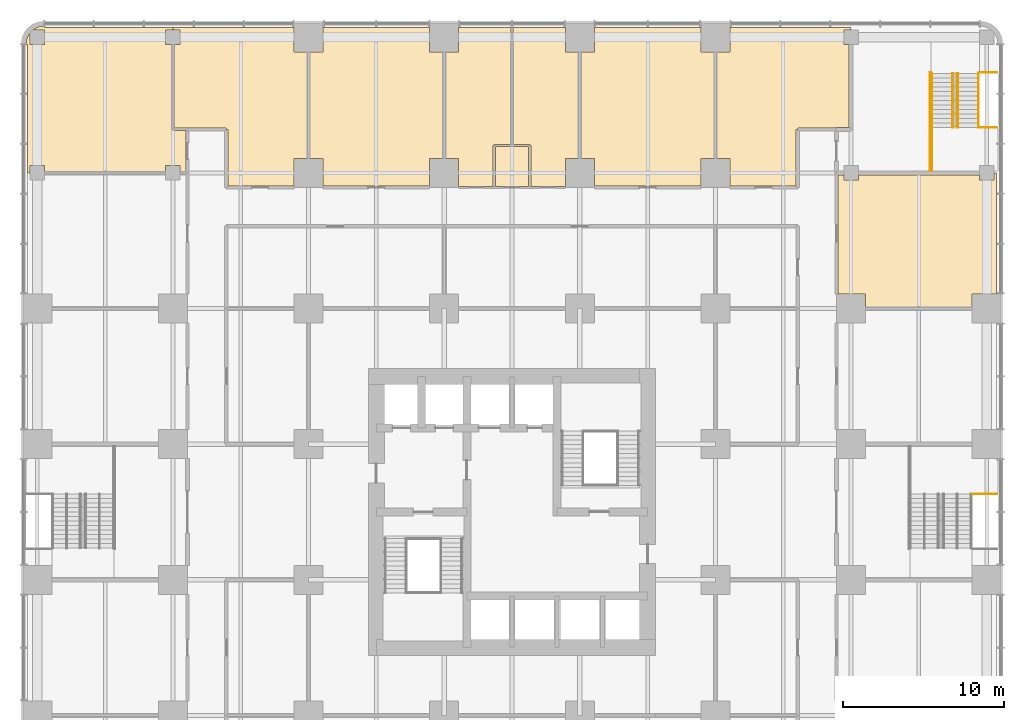
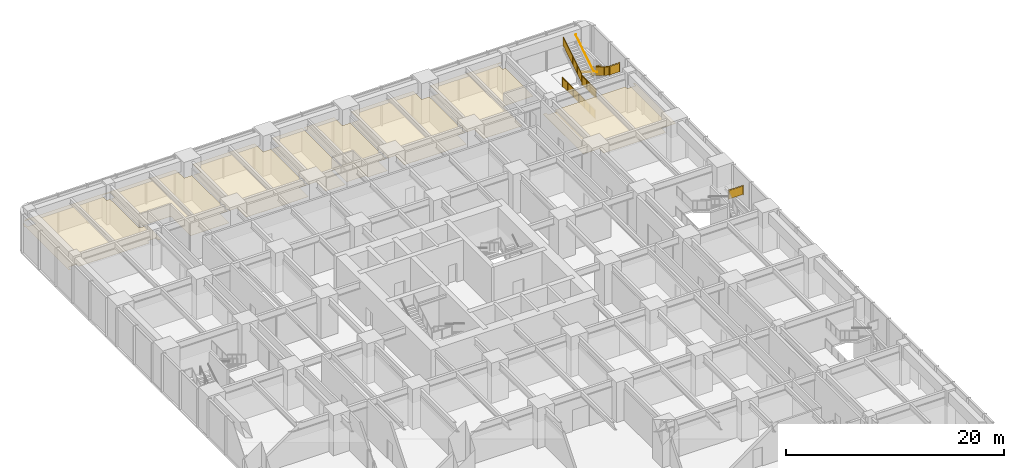
# One storey, part 19 of 19: 9 coverings, 9 railings.
"""IFC4 building model written with IfcOpenShell, lengths in metres."""

from ifc_helpers import new_model, si_unit, direction, frame, origin, origin_2d, place, context, subcontext, project, spatial, polyline, circle, outline, extrude, material, layer, layer_set, type_object, element, save


model = new_model("IFC4")

# Units and contexts
model_context = context("Model", 3, precision=1e-05, world=origin(), true_north=direction((0.0, 1.0)))
body_context = subcontext(model_context, "Body", "Model", "MODEL_VIEW")
ifc_project = project(units=[si_unit("LENGTHUNIT", "METRE"), si_unit("AREAUNIT", "SQUARE_METRE"), si_unit("VOLUMEUNIT", "CUBIC_METRE"), si_unit("PLANEANGLEUNIT", "RADIAN"), si_unit("MASSUNIT", "GRAM", prefix="KILO")], contexts=[model_context])

# Site, building, storey
site_placement = place(None, origin())
site = spatial("IfcSite", under=ifc_project, at=site_placement, CompositionType="ELEMENT")
building_placement = place(site_placement, origin())
building = spatial("IfcBuilding", under=site, at=building_placement, Name="Torre Alcanfor", CompositionType="ELEMENT")
storey_placement = place(building_placement, frame((0.0, 0.0, 6.0)))
storey = spatial("IfcBuildingStorey", under=building, at=storey_placement, Name="L01", CompositionType="ELEMENT", Elevation=6.0)

# Coverings
ifc_material_1 = material(Name="Mineral fibre acoustic tile 20 mm, NRC 0.70, on exposed suspension grid", Category="mineral fibre")
ifc_layer_1 = layer(ifc_material_1, 0.02001953125)
ifc_layer_set_1 = layer_set([ifc_layer_1], Name="Acoustic suspended ceiling 600x600 mineral fibre tile")
covering_type_1 = type_object("IfcCoveringType", Name="Acoustic suspended ceiling 600x600 mineral fibre tile", PredefinedType="CEILING", material=ifc_layer_set_1)
covering_1_placement = place(storey_placement, frame((0.0, 0.0, 2.75)))
element("IfcCovering", 1, at=covering_1_placement, inside=storey, type_object=covering_type_1, Name="Ceiling L01-19", PredefinedType="CEILING", context=body_context, shape_type="SweptSolid", body=[
    extrude(outline(polyline([(57.89990234375, 42.074951171875), (57.89990234375, 42.89990234375), (59.425048828125, 42.89990234375), (59.425048828125, 50.39990234375), (59.25, 50.39990234375), (59.25, 49.949951171875), (58.35009765625, 49.949951171875), (58.35009765625, 50.27490234375), (50.85009765625, 50.27490234375), (50.85009765625, 49.949951171875), (49.949951171875, 49.949951171875), (49.949951171875, 50.27490234375), (49.60009765625, 50.27490234375), (49.60009765625, 42.89990234375), (51.300048828125, 42.89990234375), (51.300048828125, 42.074951171875), (57.89990234375, 42.074951171875)])), origin(), (0.0, 0.0, 1.0), 0.02001953125),
])
covering_2_placement = place(storey_placement, frame((0.0, 0.0, 2.75)))
element("IfcCovering", 2, at=covering_2_placement, inside=storey, type_object=covering_type_1, Name="Ceiling L01-20", PredefinedType="CEILING", context=body_context, shape_type="SweptSolid", body=[
    extrude(outline(polyline([(16.875, 51.300048828125), (17.699951171875, 51.300048828125), (17.699951171875, 49.60009765625), (24.300048828125, 49.60009765625), (24.300048828125, 51.300048828125), (25.125, 51.300048828125), (25.125, 57.89990234375), (24.300048828125, 57.89990234375), (24.300048828125, 59.425048828125), (17.699951171875, 59.425048828125), (17.699951171875, 57.89990234375), (16.875, 57.89990234375), (16.875, 51.300048828125)])), origin(), (0.0, 0.0, 1.0), 0.02001953125),
])
covering_3_placement = place(storey_placement, frame((0.0, 0.0, 2.75)))
element("IfcCovering", 3, at=covering_3_placement, inside=storey, type_object=covering_type_1, Name="Ceiling L01-21", PredefinedType="CEILING", context=body_context, shape_type="SweptSolid", body=[
    extrude(outline(polyline([(33.675048828125, 51.300048828125), (34.5, 51.300048828125), (34.5, 49.60009765625), (41.10009765625, 49.60009765625), (41.10009765625, 51.300048828125), (41.925048828125, 51.300048828125), (41.925048828125, 57.89990234375), (41.10009765625, 57.89990234375), (41.10009765625, 59.425048828125), (34.5, 59.425048828125), (34.5, 57.89990234375), (33.675048828125, 57.89990234375), (33.675048828125, 51.300048828125)])), origin(), (0.0, 0.0, 1.0), 0.02001953125),
])
covering_4_placement = place(storey_placement, frame((0.0, 0.0, 2.75)))
element("IfcCovering", 4, at=covering_4_placement, inside=storey, type_object=covering_type_1, Name="Ceiling L01-22", PredefinedType="CEILING", context=body_context, shape_type="SweptSolid", body=[
    extrude(outline(polyline([(-0.449951171875, 59.079345703125), (-0.55029296875, 58.94873046875), (-0.659912109375, 58.68408203125), (-0.697509765625, 58.39990234375), (-0.625, 58.39990234375), (-0.625, 50.39990234375), (-0.449951171875, 50.39990234375), (-0.449951171875, 50.85009765625), (0.449951171875, 50.85009765625), (0.449951171875, 50.47509765625), (7.949951171875, 50.47509765625), (7.949951171875, 50.85009765625), (8.85009765625, 50.85009765625), (8.85009765625, 50.47509765625), (9.199951171875, 50.47509765625), (9.199951171875, 53.02490234375), (8.39990234375, 53.02490234375), (8.39990234375, 53.10009765625), (8.324951171875, 53.10009765625), (8.324951171875, 58.35009765625), (7.949951171875, 58.35009765625), (7.949951171875, 59.25), (8.39990234375, 59.25), (8.39990234375, 59.425048828125), (0.39990234375, 59.425048828125), (0.39990234375, 59.497314453125), (0.115966796875, 59.4599609375), (-0.148681640625, 59.350341796875), (-0.279296875, 59.25), (0.449951171875, 59.25), (0.449951171875, 58.35009765625), (-0.449951171875, 58.35009765625), (-0.449951171875, 59.079345703125)])), origin(), (0.0, 0.0, 1.0), 0.02001953125),
])
covering_5_placement = place(storey_placement, frame((0.0, 0.0, 2.75)))
element("IfcCovering", 5, at=covering_5_placement, inside=storey, type_object=covering_type_1, Name="Ceiling L01-24", PredefinedType="CEILING", context=body_context, shape_type="SweptSolid", body=[
    extrude(outline(polyline([(8.39990234375, 59.25), (8.85009765625, 59.25), (8.85009765625, 58.35009765625), (8.47509765625, 58.35009765625), (8.47509765625, 53.175048828125), (9.300048828125, 53.175048828125), (9.300048828125, 53.199951171875), (11.699951171875, 53.199951171875), (11.699951171875, 53.10009765625), (11.800048828125, 53.10009765625), (11.800048828125, 49.60009765625), (15.89990234375, 49.60009765625), (15.89990234375, 51.300048828125), (16.72509765625, 51.300048828125), (16.72509765625, 57.89990234375), (15.89990234375, 57.89990234375), (15.89990234375, 59.425048828125), (8.39990234375, 59.425048828125), (8.39990234375, 59.25)])), origin(), (0.0, 0.0, 1.0), 0.02001953125),
])
covering_6_placement = place(storey_placement, frame((0.0, 0.0, 2.75)))
element("IfcCovering", 6, at=covering_6_placement, inside=storey, type_object=covering_type_1, Name="Ceiling L01-25", PredefinedType="CEILING", context=body_context, shape_type="SweptSolid", body=[
    extrude(outline(polyline([(49.949951171875, 59.25), (50.39990234375, 59.25), (50.39990234375, 59.425048828125), (42.89990234375, 59.425048828125), (42.89990234375, 57.89990234375), (42.074951171875, 57.89990234375), (42.074951171875, 51.300048828125), (42.89990234375, 51.300048828125), (42.89990234375, 49.60009765625), (47.0, 49.60009765625), (47.0, 53.10009765625), (47.10009765625, 53.10009765625), (47.10009765625, 53.199951171875), (49.5, 53.199951171875), (49.5, 53.22509765625), (50.27490234375, 53.22509765625), (50.27490234375, 58.35009765625), (49.949951171875, 58.35009765625), (49.949951171875, 59.25)])), origin(), (0.0, 0.0, 1.0), 0.02001953125),
])
ifc_material_2 = material(Name="Moisture-resistant gypsum plasterboard 12.5 mm on concealed suspension frame", Category="gypsum")
ifc_layer_2 = layer(ifc_material_2, 0.012451171875)
ifc_layer_set_2 = layer_set([ifc_layer_2], Name="Moisture-resistant plasterboard ceiling 12.5")
covering_type_2 = type_object("IfcCoveringType", Name="Moisture-resistant plasterboard ceiling 12.5", PredefinedType="CEILING", material=ifc_layer_set_2)
covering_7_placement = place(storey_placement, frame((0.0, 0.0, 2.75)))
element("IfcCovering", 7, at=covering_7_placement, inside=storey, type_object=covering_type_2, Name="Ceiling L01-WCN1", PredefinedType="CEILING", context=body_context, shape_type="SweptSolid", body=[
    extrude(outline(polyline([(25.27490234375, 51.300048828125), (26.10009765625, 51.300048828125), (26.10009765625, 49.574951171875), (28.22509765625, 49.574951171875), (28.22509765625, 52.10009765625), (28.300048828125, 52.10009765625), (28.300048828125, 52.175048828125), (29.324951171875, 52.175048828125), (29.324951171875, 59.425048828125), (26.10009765625, 59.425048828125), (26.10009765625, 57.89990234375), (25.27490234375, 57.89990234375), (25.27490234375, 51.300048828125)])), origin(), (0.0, 0.0, 1.0), 0.012451171875),
])
covering_8_placement = place(storey_placement, frame((0.0, 0.0, 3.0)))
element("IfcCovering", 8, at=covering_8_placement, inside=storey, type_object=covering_type_2, Name="Ceiling L01-WCN2", PredefinedType="CEILING", context=body_context, shape_type="SweptSolid", body=[
    extrude(outline(polyline([(30.425048828125, 52.02490234375), (28.375, 52.02490234375), (28.375, 49.574951171875), (30.425048828125, 49.574951171875), (30.425048828125, 52.02490234375)])), origin(), (0.0, 0.0, 1.0), 0.012451171875),
])
covering_9_placement = place(storey_placement, frame((0.0, 0.0, 2.75)))
element("IfcCovering", 9, at=covering_9_placement, inside=storey, type_object=covering_type_2, Name="Ceiling L01-WCN3", PredefinedType="CEILING", context=body_context, shape_type="SweptSolid", body=[
    extrude(outline(polyline([(33.52490234375, 57.89990234375), (32.699951171875, 57.89990234375), (32.699951171875, 59.425048828125), (29.47509765625, 59.425048828125), (29.47509765625, 52.175048828125), (30.5, 52.175048828125), (30.5, 52.10009765625), (30.574951171875, 52.10009765625), (30.574951171875, 49.574951171875), (32.699951171875, 49.574951171875), (32.699951171875, 51.300048828125), (33.52490234375, 51.300048828125), (33.52490234375, 57.89990234375)])), origin(), (0.0, 0.0, 1.0), 0.012451171875),
])

# Railings
ifc_material_3 = material(Name="Steel ASTM A500 Grade C hollow sections", Category="steel")
railing_type_1 = type_object("IfcRailingType", Name="Stair guard and handrail 1100", PredefinedType="GUARDRAIL", material=ifc_material_3)
railing_1_placement = place(storey_placement, frame((59.449951171875, 30.514892578125, 2.25)))
element("IfcRailing", 10, at=railing_1_placement, inside=storey, type_object=railing_type_1, Name="Stair guard SS2 L01 half landing facade strip", PredefinedType="GUARDRAIL", context=body_context, shape_type="SweptSolid", body=[
    extrude(circle(Radius=0.02392578125, at=origin_2d()), frame((0.0, 0.0, 1.076171875), z_axis=(-1.0, 0.0, 0.0), x_axis=(0.0, -1.0, 0.0)), (0.0, 0.0, 1.0), 1.550048828125),
    extrude(circle(Radius=0.02099609375, at=origin_2d()), origin(), (0.0, 0.0, 1.0), 1.052001953125),
    extrude(circle(Radius=0.02099609375, at=origin_2d()), frame((-0.77490234375, 0.0, 0.0)), (0.0, 0.0, 1.0), 1.052001953125),
    extrude(circle(Radius=0.02099609375, at=origin_2d()), frame((-1.550048828125, 0.0, 0.0)), (0.0, 0.0, 1.0), 1.052001953125),
    extrude(outline(polyline([(0.041015625, 0.050048828125), (0.734130859375, 0.050048828125), (0.734130859375, 1.001953125), (0.041015625, 1.001953125), (0.041015625, 0.050048828125)])), frame((0.0, -0.005859375, 0.0), z_axis=(0.0, 1.0, 0.0), x_axis=(-1.0, 0.0, 0.0)), (0.0, 0.0, 1.0), 0.011962890625),
    extrude(outline(polyline([(0.81591796875, 0.050048828125), (1.509033203125, 0.050048828125), (1.509033203125, 1.001953125), (0.81591796875, 1.001953125), (0.81591796875, 0.050048828125)])), frame((0.0, -0.005859375, 0.0), z_axis=(0.0, 1.0, 0.0), x_axis=(-1.0, 0.0, 0.0)), (0.0, 0.0, 1.0), 0.011962890625),
])
railing_2_placement = place(storey_placement, frame((55.300048828125, 56.625, 0.0)))
element("IfcRailing", 11, at=railing_2_placement, inside=storey, type_object=railing_type_1, Name="Stair well guard SS4 L01 door side", PredefinedType="GUARDRAIL", context=body_context, shape_type="SweptSolid", body=[
    extrude(circle(Radius=0.02392578125, at=origin_2d()), frame((0.0, 0.0, 1.076171875), z_axis=(0.0, -1.0, 0.0), x_axis=(1.0, 0.0, 0.0)), (0.0, 0.0, 1.0), 6.0849609375),
    extrude(circle(Radius=0.02099609375, at=origin_2d()), origin(), (0.0, 0.0, 1.0), 1.052001953125),
    extrude(circle(Radius=0.02099609375, at=origin_2d()), frame((0.0, -1.01416015625, 0.0)), (0.0, 0.0, 1.0), 1.052001953125),
    extrude(circle(Radius=0.02099609375, at=origin_2d()), frame((0.0, -2.0283203125, 0.0)), (0.0, 0.0, 1.0), 1.052001953125),
    extrude(circle(Radius=0.02099609375, at=origin_2d()), frame((0.0, -3.04248046875, 0.0)), (0.0, 0.0, 1.0), 1.052001953125),
    extrude(circle(Radius=0.02099609375, at=origin_2d()), frame((0.0, -4.056640625, 0.0)), (0.0, 0.0, 1.0), 1.052001953125),
    extrude(circle(Radius=0.02099609375, at=origin_2d()), frame((0.0, -5.07080078125, 0.0)), (0.0, 0.0, 1.0), 1.052001953125),
    extrude(circle(Radius=0.02099609375, at=origin_2d()), frame((0.0, -6.0849609375, 0.0)), (0.0, 0.0, 1.0), 1.052001953125),
    extrude(outline(polyline([(0.041015625, 0.050048828125), (0.97314453125, 0.050048828125), (0.97314453125, 1.001953125), (0.041015625, 1.001953125), (0.041015625, 0.050048828125)])), frame((0.005859375, 0.0, 0.0), z_axis=(-1.0, 0.0, 0.0), x_axis=(0.0, -1.0, 0.0)), (0.0, 0.0, 1.0), 0.011962890625),
    extrude(outline(polyline([(1.05517578125, 0.050048828125), (1.9873046875, 0.050048828125), (1.9873046875, 1.001953125), (1.05517578125, 1.001953125), (1.05517578125, 0.050048828125)])), frame((0.005859375, 0.0, 0.0), z_axis=(-1.0, 0.0, 0.0), x_axis=(0.0, -1.0, 0.0)), (0.0, 0.0, 1.0), 0.011962890625),
    extrude(outline(polyline([(2.0693359375, 0.050048828125), (3.00146484375, 0.050048828125), (3.00146484375, 1.001953125), (2.0693359375, 1.001953125), (2.0693359375, 0.050048828125)])), frame((0.005859375, 0.0, 0.0), z_axis=(-1.0, 0.0, 0.0), x_axis=(0.0, -1.0, 0.0)), (0.0, 0.0, 1.0), 0.011962890625),
    extrude(outline(polyline([(3.08349609375, 0.050048828125), (4.015625, 0.050048828125), (4.015625, 1.001953125), (3.08349609375, 1.001953125), (3.08349609375, 0.050048828125)])), frame((0.005859375, 0.0, 0.0), z_axis=(-1.0, 0.0, 0.0), x_axis=(0.0, -1.0, 0.0)), (0.0, 0.0, 1.0), 0.011962890625),
    extrude(outline(polyline([(4.09765625, 0.050048828125), (5.02978515625, 0.050048828125), (5.02978515625, 1.001953125), (4.09765625, 1.001953125), (4.09765625, 0.050048828125)])), frame((0.005859375, 0.0, 0.0), z_axis=(-1.0, 0.0, 0.0), x_axis=(0.0, -1.0, 0.0)), (0.0, 0.0, 1.0), 0.011962890625),
    extrude(outline(polyline([(5.11181640625, 0.050048828125), (6.0439453125, 0.050048828125), (6.0439453125, 1.001953125), (5.11181640625, 1.001953125), (5.11181640625, 0.050048828125)])), frame((0.005859375, 0.0, 0.0), z_axis=(-1.0, 0.0, 0.0), x_axis=(0.0, -1.0, 0.0)), (0.0, 0.0, 1.0), 0.011962890625),
])
railing_3_placement = place(storey_placement, frame((59.449951171875, 56.625, 0.0)))
element("IfcRailing", 12, at=railing_3_placement, inside=storey, type_object=railing_type_1, Name="Stair well guard SS4 L01 facade strip", PredefinedType="GUARDRAIL", context=body_context, shape_type="SweptSolid", body=[
    extrude(circle(Radius=0.02392578125, at=origin_2d()), frame((0.0, 0.0, 1.076171875), z_axis=(-1.0, 0.0, 0.0), x_axis=(0.0, -1.0, 0.0)), (0.0, 0.0, 1.0), 1.050048828125),
    extrude(circle(Radius=0.02099609375, at=origin_2d()), origin(), (0.0, 0.0, 1.0), 1.052001953125),
    extrude(circle(Radius=0.02099609375, at=origin_2d()), frame((-1.050048828125, 0.0, 0.0)), (0.0, 0.0, 1.0), 1.052001953125),
    extrude(outline(polyline([(0.041015625, 0.050048828125), (1.009033203125, 0.050048828125), (1.009033203125, 1.001953125), (0.041015625, 1.001953125), (0.041015625, 0.050048828125)])), frame((0.0, -0.005859375, 0.0), z_axis=(0.0, 1.0, 0.0), x_axis=(-1.0, 0.0, 0.0)), (0.0, 0.0, 1.0), 0.011962890625),
])
railing_4_placement = place(storey_placement, frame((58.300048828125, 56.574951171875, 0.173095703125)))
element("IfcRailing", 13, at=railing_4_placement, inside=storey, type_object=railing_type_1, Name="Stair guard SS4 L01 flight 1", PredefinedType="GUARDRAIL", context=body_context, shape_type="SweptSolid", body=[
    extrude(circle(Radius=0.02392578125, at=origin_2d()), frame((0.0, 0.0, 1.076171875), z_axis=(0.0, -0.850606129759, 0.525803396734), x_axis=(1.0, 0.0, 0.0)), (0.0, 0.0, 1.0), 3.949951171875),
    extrude(circle(Radius=0.02099609375, at=origin_2d()), origin(), (0.0, 0.0, 1.0), 1.052001953125),
    extrude(circle(Radius=0.02099609375, at=origin_2d()), frame((0.0, -0.83984375, 0.519287109375)), (0.0, 0.0, 1.0), 1.052001953125),
    extrude(circle(Radius=0.02099609375, at=origin_2d()), frame((0.0, -1.679931640625, 1.03857421875)), (0.0, 0.0, 1.0), 1.052001953125),
    extrude(circle(Radius=0.02099609375, at=origin_2d()), frame((0.0, -2.52001953125, 1.5576171875)), (0.0, 0.0, 1.0), 1.052001953125),
    extrude(circle(Radius=0.02099609375, at=origin_2d()), frame((0.0, -3.35986328125, 2.076904296875)), (0.0, 0.0, 1.0), 1.052001953125),
    extrude(outline(polyline([(0.041015625, 0.075439453125), (0.799072265625, 0.5439453125), (0.799072265625, 1.495849609375), (0.041015625, 1.02734375), (0.041015625, 0.075439453125)])), frame((0.005859375, 0.0, 0.0), z_axis=(-1.0, 0.0, 0.0), x_axis=(0.0, -1.0, 0.0)), (0.0, 0.0, 1.0), 0.011962890625),
    extrude(outline(polyline([(0.880859375, 0.594482421875), (1.638916015625, 1.06298828125), (1.638916015625, 2.01513671875), (0.880859375, 1.546630859375), (0.880859375, 0.594482421875)])), frame((0.005859375, 0.0, 0.0), z_axis=(-1.0, 0.0, 0.0), x_axis=(0.0, -1.0, 0.0)), (0.0, 0.0, 1.0), 0.011962890625),
    extrude(outline(polyline([(1.720947265625, 1.11376953125), (2.47900390625, 1.582275390625), (2.47900390625, 2.534423828125), (1.720947265625, 2.06591796875), (1.720947265625, 1.11376953125)])), frame((0.005859375, 0.0, 0.0), z_axis=(-1.0, 0.0, 0.0), x_axis=(0.0, -1.0, 0.0)), (0.0, 0.0, 1.0), 0.011962890625),
    extrude(outline(polyline([(2.560791015625, 1.633056640625), (3.31884765625, 2.1015625), (3.31884765625, 3.053466796875), (2.560791015625, 2.5849609375), (2.560791015625, 1.633056640625)])), frame((0.005859375, 0.0, 0.0), z_axis=(-1.0, 0.0, 0.0), x_axis=(0.0, -1.0, 0.0)), (0.0, 0.0, 1.0), 0.011962890625),
])
railing_5_placement = place(storey_placement, frame((55.39990234375, 53.215087890625, 2.423095703125)))
element("IfcRailing", 14, at=railing_5_placement, inside=storey, type_object=railing_type_1, Name="Stair guard SS4 L01 flight 2", PredefinedType="GUARDRAIL", context=body_context, shape_type="SweptSolid", body=[
    extrude(circle(Radius=0.02392578125, at=origin_2d()), frame((0.0, 0.0, 1.076171875), z_axis=(0.0, 0.850606129759, 0.525803396734), x_axis=(-1.0, 0.0, 0.0)), (0.0, 0.0, 1.0), 3.949951171875),
    extrude(circle(Radius=0.02099609375, at=origin_2d()), origin(), (0.0, 0.0, 1.0), 1.052001953125),
    extrude(circle(Radius=0.02099609375, at=origin_2d()), frame((0.0, 0.83984375, 0.519287109375)), (0.0, 0.0, 1.0), 1.052001953125),
    extrude(circle(Radius=0.02099609375, at=origin_2d()), frame((0.0, 1.679931640625, 1.03857421875)), (0.0, 0.0, 1.0), 1.052001953125),
    extrude(circle(Radius=0.02099609375, at=origin_2d()), frame((0.0, 2.52001953125, 1.5576171875)), (0.0, 0.0, 1.0), 1.052001953125),
    extrude(circle(Radius=0.02099609375, at=origin_2d()), frame((0.0, 3.35986328125, 2.076904296875)), (0.0, 0.0, 1.0), 1.052001953125),
    extrude(outline(polyline([(0.041015625, 0.075439453125), (0.799072265625, 0.5439453125), (0.799072265625, 1.495849609375), (0.041015625, 1.02734375), (0.041015625, 0.075439453125)])), frame((-0.005859375, 0.0, 0.0), z_axis=(1.0, 0.0, 0.0), x_axis=(0.0, 1.0, 0.0)), (0.0, 0.0, 1.0), 0.011962890625),
    extrude(outline(polyline([(0.880859375, 0.594482421875), (1.638916015625, 1.06298828125), (1.638916015625, 2.01513671875), (0.880859375, 1.546630859375), (0.880859375, 0.594482421875)])), frame((-0.005859375, 0.0, 0.0), z_axis=(1.0, 0.0, 0.0), x_axis=(0.0, 1.0, 0.0)), (0.0, 0.0, 1.0), 0.011962890625),
    extrude(outline(polyline([(1.720947265625, 1.11376953125), (2.47900390625, 1.582275390625), (2.47900390625, 2.534423828125), (1.720947265625, 2.06591796875), (1.720947265625, 1.11376953125)])), frame((-0.005859375, 0.0, 0.0), z_axis=(1.0, 0.0, 0.0), x_axis=(0.0, 1.0, 0.0)), (0.0, 0.0, 1.0), 0.011962890625),
    extrude(outline(polyline([(2.560791015625, 1.633056640625), (3.31884765625, 2.1015625), (3.31884765625, 3.053466796875), (2.560791015625, 2.5849609375), (2.560791015625, 1.633056640625)])), frame((-0.005859375, 0.0, 0.0), z_axis=(1.0, 0.0, 0.0), x_axis=(0.0, 1.0, 0.0)), (0.0, 0.0, 1.0), 0.011962890625),
])
railing_6_placement = place(storey_placement, frame((59.449951171875, 53.215087890625, 2.25)))
element("IfcRailing", 15, at=railing_6_placement, inside=storey, type_object=railing_type_1, Name="Stair guard SS4 L01 half landing facade strip", PredefinedType="GUARDRAIL", context=body_context, shape_type="SweptSolid", body=[
    extrude(circle(Radius=0.02392578125, at=origin_2d()), frame((0.0, 0.0, 1.076171875), z_axis=(-1.0, 0.0, 0.0), x_axis=(0.0, -1.0, 0.0)), (0.0, 0.0, 1.0), 1.099853515625),
    extrude(circle(Radius=0.02099609375, at=origin_2d()), origin(), (0.0, 0.0, 1.0), 1.052001953125),
    extrude(circle(Radius=0.02099609375, at=origin_2d()), frame((-1.099853515625, 0.0, 0.0)), (0.0, 0.0, 1.0), 1.052001953125),
    extrude(outline(polyline([(0.041015625, 0.050048828125), (1.058837890625, 0.050048828125), (1.058837890625, 1.001953125), (0.041015625, 1.001953125), (0.041015625, 0.050048828125)])), frame((0.0, -0.005859375, 0.0), z_axis=(0.0, 1.0, 0.0), x_axis=(-1.0, 0.0, 0.0)), (0.0, 0.0, 1.0), 0.011962890625),
])
railing_7_placement = place(storey_placement, frame((55.39990234375, 53.215087890625, 2.25)))
element("IfcRailing", 16, at=railing_7_placement, inside=storey, type_object=railing_type_1, Name="Stair guard SS4 L01 half landing", PredefinedType="GUARDRAIL", context=body_context, shape_type="SweptSolid", body=[
    extrude(circle(Radius=0.02392578125, at=origin_2d()), frame((0.0, 0.0, 1.076171875), z_axis=(0.0, -1.0, 0.0), x_axis=(1.0, 0.0, 0.0)), (0.0, 0.0, 1.0), 2.675048828125),
    extrude(circle(Radius=0.02099609375, at=origin_2d()), origin(), (0.0, 0.0, 1.0), 1.052001953125),
    extrude(circle(Radius=0.02099609375, at=origin_2d()), frame((0.0, -0.8916015625, 0.0)), (0.0, 0.0, 1.0), 1.052001953125),
    extrude(circle(Radius=0.02099609375, at=origin_2d()), frame((0.0, -1.783447265625, 0.0)), (0.0, 0.0, 1.0), 1.052001953125),
    extrude(circle(Radius=0.02099609375, at=origin_2d()), frame((0.0, -2.675048828125, 0.0)), (0.0, 0.0, 1.0), 1.052001953125),
    extrude(outline(polyline([(0.041015625, 0.050048828125), (0.8505859375, 0.050048828125), (0.8505859375, 1.001953125), (0.041015625, 1.001953125), (0.041015625, 0.050048828125)])), frame((0.005859375, 0.0, 0.0), z_axis=(-1.0, 0.0, 0.0), x_axis=(0.0, -1.0, 0.0)), (0.0, 0.0, 1.0), 0.011962890625),
    extrude(outline(polyline([(0.9326171875, 0.050048828125), (1.742431640625, 0.050048828125), (1.742431640625, 1.001953125), (0.9326171875, 1.001953125), (0.9326171875, 0.050048828125)])), frame((0.005859375, 0.0, 0.0), z_axis=(-1.0, 0.0, 0.0), x_axis=(0.0, -1.0, 0.0)), (0.0, 0.0, 1.0), 0.011962890625),
    extrude(outline(polyline([(1.824462890625, 0.050048828125), (2.634033203125, 0.050048828125), (2.634033203125, 1.001953125), (1.824462890625, 1.001953125), (1.824462890625, 0.050048828125)])), frame((0.005859375, 0.0, 0.0), z_axis=(-1.0, 0.0, 0.0), x_axis=(0.0, -1.0, 0.0)), (0.0, 0.0, 1.0), 0.011962890625),
])
ifc_material_4 = material(Name="Steel ASTM A500 Grade C hollow sections", Category="steel")
railing_type_2 = type_object("IfcRailingType", Name="Stair wall handrail 900", PredefinedType="HANDRAIL", material=ifc_material_4)
railing_8_placement = place(storey_placement, frame((57.014892578125, 56.574951171875, 0.173095703125)))
element("IfcRailing", 17, at=railing_8_placement, inside=storey, type_object=railing_type_2, Name="Stair handrail SS4 L01 flight 1", PredefinedType="HANDRAIL", context=body_context, shape_type="SweptSolid", body=[
    extrude(circle(Radius=0.02392578125, at=origin_2d()), frame((0.0, 0.0, 0.8759765625), z_axis=(0.0, -0.850606129759, 0.525803396734), x_axis=(1.0, 0.0, 0.0)), (0.0, 0.0, 1.0), 3.949951171875),
    extrude(circle(Radius=0.008056640625, at=origin_2d()), frame((0.0, 0.0, 0.8759765625), z_axis=(-1.0, 0.0, 0.0), x_axis=(0.0, 0.0, 1.0)), (0.0, 0.0, 1.0), 0.06494140625),
    extrude(circle(Radius=0.008056640625, at=origin_2d()), frame((0.0, -0.83984375, 1.39501953125), z_axis=(-1.0, 0.0, 0.0), x_axis=(0.0, 0.0, 1.0)), (0.0, 0.0, 1.0), 0.06494140625),
    extrude(circle(Radius=0.008056640625, at=origin_2d()), frame((0.0, -1.679931640625, 1.914306640625), z_axis=(-1.0, 0.0, 0.0), x_axis=(0.0, 0.0, 1.0)), (0.0, 0.0, 1.0), 0.06494140625),
    extrude(circle(Radius=0.008056640625, at=origin_2d()), frame((0.0, -2.52001953125, 2.43359375), z_axis=(-1.0, 0.0, 0.0), x_axis=(0.0, 0.0, 1.0)), (0.0, 0.0, 1.0), 0.06494140625),
    extrude(circle(Radius=0.008056640625, at=origin_2d()), frame((0.0, -3.35986328125, 2.95263671875), z_axis=(-1.0, 0.0, 0.0), x_axis=(0.0, 0.0, 1.0)), (0.0, 0.0, 1.0), 0.06494140625),
])
railing_9_placement = place(storey_placement, frame((56.68505859375, 53.215087890625, 2.423095703125)))
element("IfcRailing", 18, at=railing_9_placement, inside=storey, type_object=railing_type_2, Name="Stair handrail SS4 L01 flight 2", PredefinedType="HANDRAIL", context=body_context, shape_type="SweptSolid", body=[
    extrude(circle(Radius=0.02392578125, at=origin_2d()), frame((0.0, 0.0, 0.8759765625), z_axis=(0.0, 0.850606129759, 0.525803396734), x_axis=(-1.0, 0.0, 0.0)), (0.0, 0.0, 1.0), 3.949951171875),
    extrude(circle(Radius=0.008056640625, at=origin_2d()), frame((0.0, 0.0, 0.8759765625), z_axis=(1.0, 0.0, 0.0), x_axis=(0.0, 0.0, 1.0)), (0.0, 0.0, 1.0), 0.06494140625),
    extrude(circle(Radius=0.008056640625, at=origin_2d()), frame((0.0, 0.83984375, 1.39501953125), z_axis=(1.0, 0.0, 0.0), x_axis=(0.0, 0.0, 1.0)), (0.0, 0.0, 1.0), 0.06494140625),
    extrude(circle(Radius=0.008056640625, at=origin_2d()), frame((0.0, 1.679931640625, 1.914306640625), z_axis=(1.0, 0.0, 0.0), x_axis=(0.0, 0.0, 1.0)), (0.0, 0.0, 1.0), 0.06494140625),
    extrude(circle(Radius=0.008056640625, at=origin_2d()), frame((0.0, 2.52001953125, 2.43359375), z_axis=(1.0, 0.0, 0.0), x_axis=(0.0, 0.0, 1.0)), (0.0, 0.0, 1.0), 0.06494140625),
    extrude(circle(Radius=0.008056640625, at=origin_2d()), frame((0.0, 3.35986328125, 2.95263671875), z_axis=(1.0, 0.0, 0.0), x_axis=(0.0, 0.0, 1.0)), (0.0, 0.0, 1.0), 0.06494140625),
])

save(model, "model.ifc")
